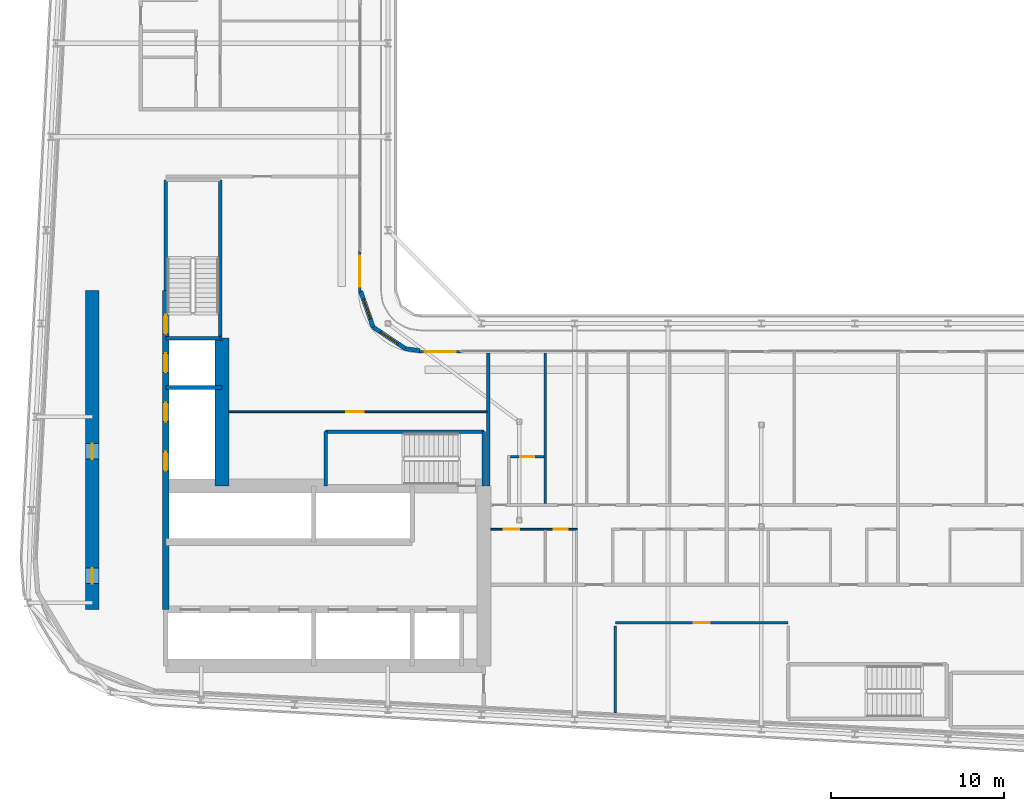
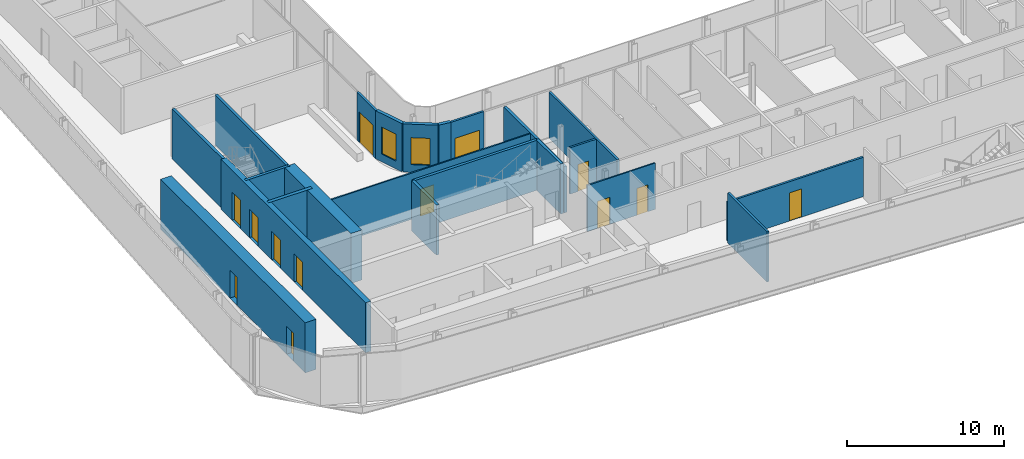
# One storey, part 16 of 30: 23 walls, 13 doors, 2 windows, 15 openings.
"""IFC4 building model written with IfcOpenShell, lengths in metres."""

from ifc_helpers import new_model, si_unit, direction, frame, frame_2d, origin, place, context, subcontext, project, spatial, rectangle, extrude, source, transform, mapped, material, layer, layer_set, type_object, element, fill, save


model = new_model("IFC4")

# Units and contexts
model_context = context("Model", 3, precision=1e-05, world=origin(), true_north=direction((0.0, 1.0)))
body_context = subcontext(model_context, "Body", "Model", "MODEL_VIEW")
ifc_project = project(units=[si_unit("LENGTHUNIT", "METRE"), si_unit("AREAUNIT", "SQUARE_METRE"), si_unit("VOLUMEUNIT", "CUBIC_METRE"), si_unit("PLANEANGLEUNIT", "RADIAN"), si_unit("MASSUNIT", "GRAM", prefix="KILO")], contexts=[model_context])

# Site, building, storey
site_placement = place(None, origin())
site = spatial("IfcSite", under=ifc_project, at=site_placement, CompositionType="ELEMENT")
building_placement = place(site_placement, origin())
building = spatial("IfcBuilding", under=site, at=building_placement, Name="Kheshtan School and Residences Tower", CompositionType="ELEMENT")
storey_placement = place(building_placement, frame((0.0, 0.0, 195.5)))
storey = spatial("IfcBuildingStorey", under=building, at=storey_placement, Name="L46", CompositionType="ELEMENT", Elevation=195.5)

# Wall, openings, doors
ifc_material_1 = material(Name="Concrete C50/60", Category="concrete")
ifc_layer_1 = layer(ifc_material_1, 0.39990234375)
ifc_layer_set_1 = layer_set([ifc_layer_1], Name="Core wall 400 Concrete C50/60")
wall_type_1 = type_object("IfcWallType", Name="Core wall 400 Concrete C50/60", PredefinedType="SHEAR", material=ifc_layer_set_1)
wall_1_placement = place(storey_placement, frame((34.75, 29.050048828125, 0.0), z_axis=(0.0, 0.0, 1.0), x_axis=(0.0, 1.0, 0.0)))
wall_1 = element("IfcWall", 1, at=wall_1_placement, inside=storey, type_object=wall_type_1, Name="Core wall CW-HALL-W1", PredefinedType="SHEAR", context=body_context, shape_type="SweptSolid", body=[
    extrude(rectangle(XDim=18.449951171875, YDim=0.39990234375, at=frame_2d((9.22509765625, 0.0))), origin(), (0.0, 0.0, 1.0), 3.89990234375),
])
opening_1_placement = place(wall_1_placement, frame((8.02490234375, 0.0, 0.0)))
opening_1 = element("IfcOpeningElement", 2, at=opening_1_placement, cuts=wall_1, Name="Opening LD", PredefinedType="OPENING", context=body_context, shape_type="SweptSolid", body=[
    extrude(rectangle(XDim=1.10009765625, YDim=2.199951171875, at=frame_2d((0.550048828125, 1.10009765625))), frame((0.0, 0.2099609375, 0.0), z_axis=(0.0, -1.0, 0.0), x_axis=(1.0, 0.0, 0.0)), (0.0, 0.0, 1.0), 0.419921875),
])
opening_2_placement = place(wall_1_placement, frame((10.875, 0.0, 0.0)))
opening_2 = element("IfcOpeningElement", 3, at=opening_2_placement, cuts=wall_1, Name="Opening LD", PredefinedType="OPENING", context=body_context, shape_type="SweptSolid", body=[
    extrude(rectangle(XDim=1.10009765625, YDim=2.199951171875, at=frame_2d((0.550048828125, 1.10009765625))), frame((0.0, 0.2099609375, 0.0), z_axis=(0.0, -1.0, 0.0), x_axis=(1.0, 0.0, 0.0)), (0.0, 0.0, 1.0), 0.419921875),
])
opening_3_placement = place(wall_1_placement, frame((13.72509765625, 0.0, 0.0)))
opening_3 = element("IfcOpeningElement", 4, at=opening_3_placement, cuts=wall_1, Name="Opening LD", PredefinedType="OPENING", context=body_context, shape_type="SweptSolid", body=[
    extrude(rectangle(XDim=1.10009765625, YDim=2.199951171875, at=frame_2d((0.550048828125, 1.10009765625))), frame((0.0, 0.2099609375, 0.0), z_axis=(0.0, -1.0, 0.0), x_axis=(1.0, 0.0, 0.0)), (0.0, 0.0, 1.0), 0.419921875),
])
opening_4_placement = place(wall_1_placement, frame((15.949951171875, 0.0, 0.0)))
opening_4 = element("IfcOpeningElement", 5, at=opening_4_placement, cuts=wall_1, Name="Opening ST2D", PredefinedType="OPENING", context=body_context, shape_type="SweptSolid", body=[
    extrude(rectangle(XDim=1.10009765625, YDim=2.199951171875, at=frame_2d((0.550048828125, 1.10009765625))), frame((0.0, 0.2099609375, 0.0), z_axis=(0.0, -1.0, 0.0), x_axis=(1.0, 0.0, 0.0)), (0.0, 0.0, 1.0), 0.419921875),
])
ifc_material_2 = material(Name="Stainless steel door leaves", Category="steel")
door_type_1 = type_object("IfcDoorType", Name="Lift landing door 1100", OperationType="SLIDING_TO_LEFT", PredefinedType="DOOR", material=ifc_material_2)
shared_shape_1 = source(origin(), body_context, "Body", "SweptSolid", [
    extrude(rectangle(XDim=1.10009765625, YDim=2.199951171875, at=frame_2d((0.550048828125, 1.10009765625))), frame((0.0, 0.02490234375, 0.0), z_axis=(0.0, -1.0, 0.0), x_axis=(1.0, 0.0, 0.0)), (0.0, 0.0, 1.0), 0.050048828125),
])
door_1_placement = place(opening_1_placement, origin())
door_1 = element("IfcDoor", 6, at=door_1_placement, inside=storey, type_object=door_type_1, Name="Lift SV1 landing door", OperationType="SLIDING_TO_LEFT", OverallHeight=2.199951171875, OverallWidth=1.10009765625, PredefinedType="DOOR", context=body_context, shape_type="MappedRepresentation", body=[
    mapped(shared_shape_1, transform((0.0, 0.0, 0.0), x_axis=(1.0, 0.0, 0.0), y_axis=(0.0, 1.0, 0.0), z_axis=(0.0, 0.0, 1.0), scale=1.0)),
])
fill(opening_1, door_1)
door_2_placement = place(opening_2_placement, origin())
door_2 = element("IfcDoor", 7, at=door_2_placement, inside=storey, type_object=door_type_1, Name="Lift SV2 landing door", OperationType="SLIDING_TO_LEFT", OverallHeight=2.199951171875, OverallWidth=1.10009765625, PredefinedType="DOOR", context=body_context, shape_type="MappedRepresentation", body=[
    mapped(shared_shape_1, transform((0.0, 0.0, 0.0), x_axis=(1.0, 0.0, 0.0), y_axis=(0.0, 1.0, 0.0), z_axis=(0.0, 0.0, 1.0), scale=1.0)),
])
fill(opening_2, door_2)
door_3_placement = place(opening_3_placement, origin())
door_3 = element("IfcDoor", 8, at=door_3_placement, inside=storey, type_object=door_type_1, Name="Lift FFL1 landing door", OperationType="SLIDING_TO_LEFT", OverallHeight=2.199951171875, OverallWidth=1.10009765625, PredefinedType="DOOR", context=body_context, shape_type="MappedRepresentation", body=[
    mapped(shared_shape_1, transform((0.0, 0.0, 0.0), x_axis=(1.0, 0.0, 0.0), y_axis=(0.0, 1.0, 0.0), z_axis=(0.0, 0.0, 1.0), scale=1.0)),
])
fill(opening_3, door_3)
ifc_material_3 = material(Name="Steel door leaf, galvanised", Category="steel")
door_type_2 = type_object("IfcDoorType", Name="Stair door 1100 steel 90 min", OperationType="SINGLE_SWING_LEFT", PredefinedType="DOOR", material=ifc_material_3)
shared_shape_2 = source(origin(), body_context, "Body", "SweptSolid", [
    extrude(rectangle(XDim=1.10009765625, YDim=2.199951171875, at=frame_2d((0.550048828125, 1.10009765625))), frame((0.0, 0.02490234375, 0.0), z_axis=(0.0, -1.0, 0.0), x_axis=(1.0, 0.0, 0.0)), (0.0, 0.0, 1.0), 0.050048828125),
])
door_4_placement = place(opening_4_placement, origin())
door_4 = element("IfcDoor", 9, at=door_4_placement, inside=storey, type_object=door_type_2, Name="Stair ST2 door", OperationType="SINGLE_SWING_RIGHT", OverallHeight=2.199951171875, OverallWidth=1.10009765625, PredefinedType="DOOR", context=body_context, shape_type="MappedRepresentation", body=[
    mapped(shared_shape_2, transform((0.0, 0.0, 0.0), x_axis=(1.0, 0.0, 0.0), y_axis=(0.0, 1.0, 0.0), z_axis=(0.0, 0.0, 1.0), scale=1.0)),
])
fill(opening_4, door_4)

# Wall
ifc_material_4 = material(Name="Concrete C70/85", Category="concrete")
ifc_layer_2 = layer(ifc_material_4, 0.800048828125)
ifc_layer_set_2 = layer_set([ifc_layer_2], Name="Core wall 800 Concrete C70/85")
wall_type_2 = type_object("IfcWallType", Name="Core wall 800 Concrete C70/85", PredefinedType="SHEAR", material=ifc_layer_set_2)
wall_2_placement = place(storey_placement, frame((38.0, 36.199951171875, 0.0), z_axis=(0.0, 0.0, 1.0), x_axis=(0.0, 1.0, 0.0)))
element("IfcWall", 10, at=wall_2_placement, inside=storey, type_object=wall_type_2, Name="Core wall CW-FRONT-W", PredefinedType="SHEAR", context=body_context, shape_type="SweptSolid", body=[
    extrude(rectangle(XDim=8.550048828125, YDim=0.800048828125, at=frame_2d((4.27490234375, 0.0))), origin(), (0.0, 0.0, 1.0), 3.89990234375),
])

# Wall, openings, doors
wall_3_placement = place(storey_placement, frame((30.5, 29.050048828125, 0.0), z_axis=(0.0, 0.0, 1.0), x_axis=(0.0, 1.0, 0.0)))
wall_3 = element("IfcWall", 11, at=wall_3_placement, inside=storey, type_object=wall_type_2, Name="Core wall CW-REAR-W", PredefinedType="SHEAR", context=body_context, shape_type="SweptSolid", body=[
    extrude(rectangle(XDim=18.449951171875, YDim=0.800048828125, at=frame_2d((9.22509765625, 0.0))), origin(), (0.0, 0.0, 1.0), 3.89990234375),
])
opening_5_placement = place(wall_3_placement, frame((1.5, 0.0, 0.0)))
opening_5 = element("IfcOpeningElement", 12, at=opening_5_placement, cuts=wall_3, Name="Opening SR90", PredefinedType="OPENING", context=body_context, shape_type="SweptSolid", body=[
    extrude(rectangle(XDim=0.89990234375, YDim=2.199951171875, at=frame_2d((0.449951171875, 1.10009765625))), frame((0.0, 0.41015625, 0.0), z_axis=(0.0, -1.0, 0.0), x_axis=(1.0, 0.0, 0.0)), (0.0, 0.0, 1.0), 0.820068359375),
])
opening_6_placement = place(wall_3_placement, frame((8.705078125, 0.0, 0.0)))
opening_6 = element("IfcOpeningElement", 13, at=opening_6_placement, cuts=wall_3, Name="Opening SR90", PredefinedType="OPENING", context=body_context, shape_type="SweptSolid", body=[
    extrude(rectangle(XDim=0.89990234375, YDim=2.199951171875, at=frame_2d((0.449951171875, 1.10009765625))), frame((0.0, 0.41015625, 0.0), z_axis=(0.0, -1.0, 0.0), x_axis=(1.0, 0.0, 0.0)), (0.0, 0.0, 1.0), 0.820068359375),
])
door_type_3 = type_object("IfcDoorType", Name="Service room door 900 steel 90 min", OperationType="SINGLE_SWING_LEFT", PredefinedType="DOOR", material=ifc_material_3)
shared_shape_3 = source(origin(), body_context, "Body", "SweptSolid", [
    extrude(rectangle(XDim=0.89990234375, YDim=2.199951171875, at=frame_2d((0.449951171875, 1.10009765625))), frame((0.0, 0.02490234375, 0.0), z_axis=(0.0, -1.0, 0.0), x_axis=(1.0, 0.0, 0.0)), (0.0, 0.0, 1.0), 0.050048828125),
])
door_5_placement = place(opening_5_placement, origin())
door_5 = element("IfcDoor", 14, at=door_5_placement, inside=storey, type_object=door_type_3, Name="Service room door", OperationType="SINGLE_SWING_LEFT", OverallHeight=2.199951171875, OverallWidth=0.89990234375, PredefinedType="DOOR", context=body_context, shape_type="MappedRepresentation", body=[
    mapped(shared_shape_3, transform((0.0, 0.0, 0.0), x_axis=(1.0, 0.0, 0.0), y_axis=(0.0, 1.0, 0.0), z_axis=(0.0, 0.0, 1.0), scale=1.0)),
])
fill(opening_5, door_5)
door_6_placement = place(opening_6_placement, origin())
door_6 = element("IfcDoor", 15, at=door_6_placement, inside=storey, type_object=door_type_3, Name="Service room door", OperationType="SINGLE_SWING_LEFT", OverallHeight=2.199951171875, OverallWidth=0.89990234375, PredefinedType="DOOR", context=body_context, shape_type="MappedRepresentation", body=[
    mapped(shared_shape_3, transform((0.0, 0.0, 0.0), x_axis=(1.0, 0.0, 0.0), y_axis=(0.0, 1.0, 0.0), z_axis=(0.0, 0.0, 1.0), scale=1.0)),
])
fill(opening_6, door_6)

# Wall, opening, window
ifc_material_5 = material(Name="Concrete C40/50 with ceramic cladding and mineral wool insulation", Category="concrete")
ifc_layer_3 = layer(ifc_material_5, 0.25)
ifc_layer_set_3 = layer_set([ifc_layer_3], Name="External wall 250 ceramic clad")
wall_type_3 = type_object("IfcWallType", Name="External wall 250 ceramic clad", PredefinedType="SOLIDWALL", material=ifc_layer_set_3)
wall_4_placement = place(storey_placement, frame((46.01806640625, 47.470947265625, 0.0), z_axis=(0.0, 0.0, 1.0), x_axis=(0.328791208903, -0.944402637093, 0.0)))
wall_4 = element("IfcWall", 16, at=wall_4_placement, inside=storey, type_object=wall_type_3, Name="External wall L46 9", PredefinedType="SOLIDWALL", context=body_context, shape_type="SweptSolid", body=[
    extrude(rectangle(XDim=2.20458984375, YDim=0.25, at=frame_2d((1.102294921875, 0.0))), origin(), (0.0, 0.0, 1.0), 3.75),
])
opening_7_placement = place(wall_4_placement, frame((0.5029296875, 0.0, 0.60009765625)))
opening_7 = element("IfcOpeningElement", 17, at=opening_7_placement, cuts=wall_4, Name="Opening WN-E", PredefinedType="OPENING", context=body_context, shape_type="SweptSolid", body=[
    extrude(rectangle(XDim=1.199951171875, YDim=2.10009765625, at=frame_2d((0.60009765625, 1.050048828125))), frame((0.0, 0.135009765625, 0.0), z_axis=(0.0, -1.0, 0.0), x_axis=(1.0, 0.0, 0.0)), (0.0, 0.0, 1.0), 0.27001953125),
])
ifc_material_6 = material(Name="Clear low-e glass in thermally broken aluminium frame", Category="aluminium")
window_type = type_object("IfcWindowType", Name="Window WN-E", PartitioningType="SINGLE_PANEL", PredefinedType="WINDOW", material=ifc_material_6)
shared_shape_4 = source(origin(), body_context, "Body", "SweptSolid", [
    extrude(rectangle(XDim=1.199951171875, YDim=2.10009765625, at=frame_2d((0.60009765625, 1.050048828125))), frame((0.0, 0.030029296875, 0.0), z_axis=(0.0, -1.0, 0.0), x_axis=(1.0, 0.0, 0.0)), (0.0, 0.0, 1.0), 0.06005859375),
])
window_1_placement = place(opening_7_placement, origin())
window_1 = element("IfcWindow", 18, at=window_1_placement, inside=storey, type_object=window_type, Name="Window L46 9", OverallHeight=2.10009765625, OverallWidth=1.199951171875, PartitioningType="SINGLE_PANEL", PredefinedType="WINDOW", context=body_context, shape_type="MappedRepresentation", body=[
    mapped(shared_shape_4, transform((0.0, 0.0, 0.0), x_axis=(1.0, 0.0, 0.0), y_axis=(0.0, 1.0, 0.0), z_axis=(0.0, 0.0, 1.0), scale=1.0)),
])
fill(opening_7, window_1)

wall_5_placement = place(storey_placement, frame((46.742919921875, 45.388916015625, 0.0), z_axis=(0.0, 0.0, 1.0), x_axis=(0.831449265529, -0.555600682912, 0.0)))
wall_5 = element("IfcWall", 19, at=wall_5_placement, inside=storey, type_object=wall_type_3, Name="External wall L46 10", PredefinedType="SOLIDWALL", context=body_context, shape_type="SweptSolid", body=[
    extrude(rectangle(XDim=2.25146484375, YDim=0.25, at=frame_2d((1.125732421875, 0.0))), origin(), (0.0, 0.0, 1.0), 3.75),
])
opening_8_placement = place(wall_5_placement, frame((0.52490234375, 0.0, 0.60009765625)))
opening_8 = element("IfcOpeningElement", 20, at=opening_8_placement, cuts=wall_5, Name="Opening WN-E", PredefinedType="OPENING", context=body_context, shape_type="SweptSolid", body=[
    extrude(rectangle(XDim=1.199951171875, YDim=2.10009765625, at=frame_2d((0.60009765625, 1.050048828125))), frame((0.0, 0.135009765625, 0.0), z_axis=(0.0, -1.0, 0.0), x_axis=(1.0, 0.0, 0.0)), (0.0, 0.0, 1.0), 0.27001953125),
])
window_2_placement = place(opening_8_placement, origin())
window_2 = element("IfcWindow", 21, at=window_2_placement, inside=storey, type_object=window_type, Name="Window L46 10", OverallHeight=2.10009765625, OverallWidth=1.199951171875, PartitioningType="SINGLE_PANEL", PredefinedType="WINDOW", context=body_context, shape_type="MappedRepresentation", body=[
    mapped(shared_shape_4, transform((0.0, 0.0, 0.0), x_axis=(1.0, 0.0, 0.0), y_axis=(0.0, 1.0, 0.0), z_axis=(0.0, 0.0, 1.0), scale=1.0)),
])
fill(opening_8, window_2)

# Wall
wall_6_placement = place(storey_placement, frame((48.614990234375, 44.137939453125, 0.0), z_axis=(0.0, 0.0, 1.0), x_axis=(0.990741504246, -0.135761819977, 0.0)))
element("IfcWall", 22, at=wall_6_placement, inside=storey, type_object=wall_type_3, Name="External wall L46 11", PredefinedType="SOLIDWALL", context=body_context, shape_type="SweptSolid", body=[
    extrude(rectangle(XDim=0.83984375, YDim=0.25, at=frame_2d((0.419921875, 0.0))), origin(), (0.0, 0.0, 1.0), 3.75),
])

# Wall, opening, door
ifc_material_7 = material(Name="Aluminium frame wall with insulated infill", Category="aluminium")
ifc_layer_4 = layer(ifc_material_7, 0.14990234375)
ifc_layer_set_4 = layer_set([ifc_layer_4], Name="Glazing frame wall 150")
wall_type_4 = type_object("IfcWallType", Name="Glazing frame wall 150", PredefinedType="SOLIDWALL", material=ifc_layer_set_4)
wall_7_placement = place(storey_placement, frame((45.97509765625, 49.830078125, 0.0), z_axis=(0.0, 0.0, 1.0), x_axis=(0.0, -1.0, 0.0)))
wall_7 = element("IfcWall", 23, at=wall_7_placement, inside=storey, type_object=wall_type_4, Name="Balcony door wall L46 8.5", PredefinedType="SOLIDWALL", context=body_context, shape_type="SweptSolid", body=[
    extrude(rectangle(XDim=2.400146484375, YDim=0.14990234375, at=frame_2d((1.2001953125, 0.0))), origin(), (0.0, 0.0, 1.0), 3.75),
])
opening_9_placement = place(wall_7_placement, frame((0.300048828125, 0.0, 0.0)))
opening_9 = element("IfcOpeningElement", 24, at=opening_9_placement, cuts=wall_7, Name="Opening BD", PredefinedType="OPENING", context=body_context, shape_type="SweptSolid", body=[
    extrude(rectangle(XDim=1.800048828125, YDim=2.39990234375, at=frame_2d((0.89990234375, 1.199951171875))), frame((0.0, 0.0849609375, 0.0), z_axis=(0.0, -1.0, 0.0), x_axis=(1.0, 0.0, 0.0)), (0.0, 0.0, 1.0), 0.169921875),
])
door_type_4 = type_object("IfcDoorType", Name="Balcony sliding door", OperationType="SLIDING_TO_LEFT", PredefinedType="DOOR", material=ifc_material_6)
shared_shape_5 = source(origin(), body_context, "Body", "SweptSolid", [
    extrude(rectangle(XDim=1.800048828125, YDim=2.39990234375, at=frame_2d((0.89990234375, 1.199951171875))), frame((0.0, 0.02490234375, 0.0), z_axis=(0.0, -1.0, 0.0), x_axis=(1.0, 0.0, 0.0)), (0.0, 0.0, 1.0), 0.050048828125),
])
door_7_placement = place(opening_9_placement, origin())
door_7 = element("IfcDoor", 25, at=door_7_placement, inside=storey, type_object=door_type_4, Name="Balcony door L46 8.5", OperationType="SLIDING_TO_LEFT", OverallHeight=2.39990234375, OverallWidth=1.800048828125, PredefinedType="DOOR", context=body_context, shape_type="MappedRepresentation", body=[
    mapped(shared_shape_5, transform((0.0, 0.0, 0.0), x_axis=(1.0, 0.0, 0.0), y_axis=(0.0, 1.0, 0.0), z_axis=(0.0, 0.0, 1.0), scale=1.0)),
])
fill(opening_9, door_7)

wall_8_placement = place(storey_placement, frame((49.429931640625, 43.97509765625, 0.0), z_axis=(0.0, 0.0, 1.0), x_axis=(1.0, 0.0, 0.0)))
wall_8 = element("IfcWall", 26, at=wall_8_placement, inside=storey, type_object=wall_type_4, Name="Balcony door wall L46 12.1", PredefinedType="SOLIDWALL", context=body_context, shape_type="SweptSolid", body=[
    extrude(rectangle(XDim=2.400146484375, YDim=0.14990234375, at=frame_2d((1.2001953125, 0.0))), origin(), (0.0, 0.0, 1.0), 3.75),
])
opening_10_placement = place(wall_8_placement, frame((0.300048828125, 0.0, 0.0)))
opening_10 = element("IfcOpeningElement", 27, at=opening_10_placement, cuts=wall_8, Name="Opening BD", PredefinedType="OPENING", context=body_context, shape_type="SweptSolid", body=[
    extrude(rectangle(XDim=1.800048828125, YDim=2.39990234375, at=frame_2d((0.89990234375, 1.199951171875))), frame((0.0, 0.0849609375, 0.0), z_axis=(0.0, -1.0, 0.0), x_axis=(1.0, 0.0, 0.0)), (0.0, 0.0, 1.0), 0.169921875),
])
door_8_placement = place(opening_10_placement, origin())
door_8 = element("IfcDoor", 28, at=door_8_placement, inside=storey, type_object=door_type_4, Name="Balcony door L46 12.1", OperationType="SLIDING_TO_LEFT", OverallHeight=2.39990234375, OverallWidth=1.800048828125, PredefinedType="DOOR", context=body_context, shape_type="MappedRepresentation", body=[
    mapped(shared_shape_5, transform((0.0, 0.0, 0.0), x_axis=(1.0, 0.0, 0.0), y_axis=(0.0, 1.0, 0.0), z_axis=(0.0, 0.0, 1.0), scale=1.0)),
])
fill(opening_10, door_8)

ifc_material_8 = material(Name="Gypsum board on steel studs", Category="steel")
ifc_layer_5 = layer(ifc_material_8, 0.10009765625)
ifc_layer_set_5 = layer_set([ifc_layer_5], Name="Gypsum partition 100")
wall_type_5 = type_object("IfcWallType", Name="Gypsum partition 100", PredefinedType="PARTITIONING", material=ifc_layer_set_5)
wall_9_placement = place(storey_placement, frame((38.39892578125, 40.5, 0.0), z_axis=(0.0, 0.0, 1.0), x_axis=(1.0, 0.0, 0.0)))
wall_9 = element("IfcWall", 29, at=wall_9_placement, inside=storey, type_object=wall_type_5, Name="Partition L46-029", PredefinedType="PARTITIONING", context=body_context, shape_type="SweptSolid", body=[
    extrude(rectangle(XDim=14.901123046875, YDim=0.10009765625, at=frame_2d((7.45068359375, 0.0))), origin(), (0.0, 0.0, 1.0), 3.60009765625),
])
opening_11_placement = place(wall_9_placement, frame((6.801025390625, 0.0, 0.0)))
opening_11 = element("IfcOpeningElement", 30, at=opening_11_placement, cuts=wall_9, Name="Opening D46-054", PredefinedType="OPENING", context=body_context, shape_type="SweptSolid", body=[
    extrude(rectangle(XDim=1.0, YDim=2.10009765625, at=frame_2d((0.5, 1.050048828125))), frame((0.0, 0.06005859375, 0.0), z_axis=(0.0, -1.0, 0.0), x_axis=(1.0, 0.0, 0.0)), (0.0, 0.0, 1.0), 0.1201171875),
])
ifc_material_9 = material(Name="Veneered timber door leaf", Category="wood")
door_type_5 = type_object("IfcDoorType", Name="Door 1000 x 2100", OperationType="SINGLE_SWING_LEFT", PredefinedType="DOOR", material=ifc_material_9)
shared_shape_6 = source(origin(), body_context, "Body", "SweptSolid", [
    extrude(rectangle(XDim=1.0, YDim=2.10009765625, at=frame_2d((0.5, 1.050048828125))), frame((0.0, 0.02490234375, 0.0), z_axis=(0.0, -1.0, 0.0), x_axis=(1.0, 0.0, 0.0)), (0.0, 0.0, 1.0), 0.050048828125),
])
door_9_placement = place(opening_11_placement, origin())
door_9 = element("IfcDoor", 31, at=door_9_placement, inside=storey, type_object=door_type_5, Name="Door D46-054", OperationType="SINGLE_SWING_LEFT", OverallHeight=2.10009765625, OverallWidth=1.0, PredefinedType="DOOR", context=body_context, shape_type="MappedRepresentation", body=[
    mapped(shared_shape_6, transform((0.0, 0.0, 0.0), x_axis=(1.0, 0.0, 0.0), y_axis=(0.0, 1.0, 0.0), z_axis=(0.0, 0.0, 1.0), scale=1.0)),
])
fill(opening_11, door_9)

# Wall, openings, doors
wall_10_placement = place(storey_placement, frame((53.549072265625, 33.699951171875, 0.0), z_axis=(0.0, 0.0, 1.0), x_axis=(1.0, 0.0, 0.0)))
wall_10 = element("IfcWall", 32, at=wall_10_placement, inside=storey, type_object=wall_type_5, Name="Partition L46-033", PredefinedType="PARTITIONING", context=body_context, shape_type="SweptSolid", body=[
    extrude(rectangle(XDim=5.0009765625, YDim=0.10009765625, at=frame_2d((2.50048828125, 0.0))), origin(), (0.0, 0.0, 1.0), 3.60009765625),
])
opening_12_placement = place(wall_10_placement, frame((0.7509765625, 0.0, 0.0)))
opening_12 = element("IfcOpeningElement", 33, at=opening_12_placement, cuts=wall_10, Name="Opening D46-007", PredefinedType="OPENING", context=body_context, shape_type="SweptSolid", body=[
    extrude(rectangle(XDim=0.89990234375, YDim=2.10009765625, at=frame_2d((0.449951171875, 1.050048828125))), frame((0.0, 0.06005859375, 0.0), z_axis=(0.0, -1.0, 0.0), x_axis=(1.0, 0.0, 0.0)), (0.0, 0.0, 1.0), 0.1201171875),
])
opening_13_placement = place(wall_10_placement, frame((3.65087890625, 0.0, 0.0)))
opening_13 = element("IfcOpeningElement", 34, at=opening_13_placement, cuts=wall_10, Name="Opening D46-011", PredefinedType="OPENING", context=body_context, shape_type="SweptSolid", body=[
    extrude(rectangle(XDim=0.800048828125, YDim=2.10009765625, at=frame_2d((0.39990234375, 1.050048828125))), frame((0.0, 0.06005859375, 0.0), z_axis=(0.0, -1.0, 0.0), x_axis=(1.0, 0.0, 0.0)), (0.0, 0.0, 1.0), 0.1201171875),
])
door_type_6 = type_object("IfcDoorType", Name="Door 800 x 2100", OperationType="SINGLE_SWING_LEFT", PredefinedType="DOOR", material=ifc_material_9)
shared_shape_7 = source(origin(), body_context, "Body", "SweptSolid", [
    extrude(rectangle(XDim=0.800048828125, YDim=2.10009765625, at=frame_2d((0.39990234375, 1.050048828125))), frame((0.0, 0.02490234375, 0.0), z_axis=(0.0, -1.0, 0.0), x_axis=(1.0, 0.0, 0.0)), (0.0, 0.0, 1.0), 0.050048828125),
])
door_10_placement = place(opening_13_placement, origin())
door_10 = element("IfcDoor", 35, at=door_10_placement, inside=storey, type_object=door_type_6, Name="Door D46-011", OperationType="SINGLE_SWING_RIGHT", OverallHeight=2.10009765625, OverallWidth=0.800048828125, PredefinedType="DOOR", context=body_context, shape_type="MappedRepresentation", body=[
    mapped(shared_shape_7, transform((0.0, 0.0, 0.0), x_axis=(1.0, 0.0, 0.0), y_axis=(0.0, 1.0, 0.0), z_axis=(0.0, 0.0, 1.0), scale=1.0)),
])
fill(opening_13, door_10)
door_type_7 = type_object("IfcDoorType", Name="Door 900 x 2100", OperationType="SINGLE_SWING_LEFT", PredefinedType="DOOR", material=ifc_material_9)
shared_shape_8 = source(origin(), body_context, "Body", "SweptSolid", [
    extrude(rectangle(XDim=0.89990234375, YDim=2.10009765625, at=frame_2d((0.449951171875, 1.050048828125))), frame((0.0, 0.02490234375, 0.0), z_axis=(0.0, -1.0, 0.0), x_axis=(1.0, 0.0, 0.0)), (0.0, 0.0, 1.0), 0.050048828125),
])
door_11_placement = place(opening_12_placement, origin())
door_11 = element("IfcDoor", 36, at=door_11_placement, inside=storey, type_object=door_type_7, Name="Door D46-007", OperationType="SINGLE_SWING_RIGHT", OverallHeight=2.10009765625, OverallWidth=0.89990234375, PredefinedType="DOOR", context=body_context, shape_type="MappedRepresentation", body=[
    mapped(shared_shape_8, transform((0.0, 0.0, 0.0), x_axis=(1.0, 0.0, 0.0), y_axis=(0.0, 1.0, 0.0), z_axis=(0.0, 0.0, 1.0), scale=1.0)),
])
fill(opening_12, door_11)

# Wall, opening, door
ifc_material_10 = material(Name="Fire-board shaft wall system")
ifc_layer_6 = layer(ifc_material_10, 0.14990234375)
ifc_layer_set_6 = layer_set([ifc_layer_6], Name="Service room wall 150")
wall_type_6 = type_object("IfcWallType", Name="Service room wall 150", PredefinedType="PARTITIONING", material=ifc_layer_set_6)
wall_11_placement = place(storey_placement, frame((60.75, 28.300048828125, 0.0), z_axis=(0.0, 0.0, 1.0), x_axis=(1.0, 0.0, 0.0)))
wall_11 = element("IfcWall", 37, at=wall_11_placement, inside=storey, type_object=wall_type_6, Name="Service room wall", PredefinedType="PARTITIONING", context=body_context, shape_type="SweptSolid", body=[
    extrude(rectangle(XDim=10.0, YDim=0.14990234375, at=frame_2d((5.0, 0.0))), origin(), (0.0, 0.0, 1.0), 3.072021484375),
])
opening_14_placement = place(wall_11_placement, frame((4.550048828125, 0.0, 0.0)))
opening_14 = element("IfcOpeningElement", 38, at=opening_14_placement, cuts=wall_11, Name="Opening SR90", PredefinedType="OPENING", context=body_context, shape_type="SweptSolid", body=[
    extrude(rectangle(XDim=0.89990234375, YDim=2.199951171875, at=frame_2d((0.449951171875, 1.10009765625))), frame((0.0, 0.0849609375, 0.0), z_axis=(0.0, -1.0, 0.0), x_axis=(1.0, 0.0, 0.0)), (0.0, 0.0, 1.0), 0.169921875),
])
door_12_placement = place(opening_14_placement, origin())
door_12 = element("IfcDoor", 39, at=door_12_placement, inside=storey, type_object=door_type_3, Name="Service room door", OperationType="SINGLE_SWING_LEFT", OverallHeight=2.199951171875, OverallWidth=0.89990234375, PredefinedType="DOOR", context=body_context, shape_type="MappedRepresentation", body=[
    mapped(shared_shape_3, transform((0.0, 0.0, 0.0), x_axis=(1.0, 0.0, 0.0), y_axis=(0.0, 1.0, 0.0), z_axis=(0.0, 0.0, 1.0), scale=1.0)),
])
fill(opening_14, door_12)

# Walls
wall_12_placement = place(storey_placement, frame((60.75, 23.074951171875, 0.0), z_axis=(0.0, 0.0, 1.0), x_axis=(0.0, 1.0, 0.0)))
element("IfcWall", 40, at=wall_12_placement, inside=storey, type_object=wall_type_6, Name="Service room wall", PredefinedType="PARTITIONING", context=body_context, shape_type="SweptSolid", body=[
    extrude(rectangle(XDim=5.030029296875, YDim=0.14990234375, at=frame_2d((2.51513671875, 0.0))), origin(), (0.0, 0.0, 1.0), 3.89990234375),
])
ifc_layer_7 = layer(ifc_material_10, 0.25)
ifc_layer_set_7 = layer_set([ifc_layer_7], Name="Shaft lining wall 250")
wall_type_7 = type_object("IfcWallType", Name="Shaft lining wall 250", PredefinedType="PARTITIONING", material=ifc_layer_set_7)
wall_13_placement = place(storey_placement, frame((34.75, 41.89990234375, 0.0), z_axis=(0.0, 0.0, 1.0), x_axis=(1.0, 0.0, 0.0)))
element("IfcWall", 41, at=wall_13_placement, inside=storey, type_object=wall_type_7, Name="Shaft lining wall", PredefinedType="PARTITIONING", context=body_context, shape_type="SweptSolid", body=[
    extrude(rectangle(XDim=3.25, YDim=0.25, at=frame_2d((1.625, 0.0))), origin(), (0.0, 0.0, 1.0), 3.89990234375),
])
wall_14_placement = place(storey_placement, frame((37.89990234375, 44.75, 0.0), z_axis=(0.0, 0.0, 1.0), x_axis=(1.0, 0.0, 0.0)))
element("IfcWall", 42, at=wall_14_placement, inside=storey, type_object=wall_type_7, Name="Shaft lining wall", PredefinedType="PARTITIONING", context=body_context, shape_type="SweptSolid", body=[
    extrude(rectangle(XDim=0.10009765625, YDim=0.25, at=frame_2d((0.050048828125, 0.0))), origin(), (0.0, 0.0, 1.0), 3.89990234375),
])
ifc_material_11 = material(Name="Concrete C40/50", Category="concrete")
ifc_layer_8 = layer(ifc_material_11, 0.199951171875)
ifc_layer_set_8 = layer_set([ifc_layer_8], Name="Stair enclosure wall 200 Concrete C40/50")
wall_type_8 = type_object("IfcWallType", Name="Stair enclosure wall 200 Concrete C40/50", PredefinedType="SHEAR", material=ifc_layer_set_8)
wall_15_placement = place(storey_placement, frame((43.989990234375, 39.35009765625, 0.0), z_axis=(0.0, 0.0, 1.0), x_axis=(1.0, 0.0, 0.0)))
element("IfcWall", 43, at=wall_15_placement, inside=storey, type_object=wall_type_8, Name="Stair enclosure wall ST1", PredefinedType="SHEAR", context=body_context, shape_type="SweptSolid", body=[
    extrude(rectangle(XDim=9.159912109375, YDim=0.199951171875, at=frame_2d((4.580078125, 0.0))), origin(), (0.0, 0.0, 1.0), 3.89990234375),
])
for number, where, z_axis, x_axis, name in (
    (44, (43.989990234375, 36.199951171875, 0.0), (0.0, 0.0, 1.0), (0.0, 1.0, 0.0), "Stair enclosure wall ST1"),
    (45, (53.14990234375, 36.199951171875, 0.0), (0.0, 0.0, 1.0), (0.0, 1.0, 0.0), "Stair enclosure wall ST1"),
):
    element("IfcWall", number, at=place(storey_placement, frame(where, z_axis=z_axis, x_axis=x_axis)), inside=storey, type_object=wall_type_8, Name=name, PredefinedType="SHEAR", context=body_context, shape_type="SweptSolid", body=[
        extrude(rectangle(XDim=3.150146484375, YDim=0.199951171875, at=frame_2d((1.5751953125, 0.0))), origin(), (0.0, 0.0, 1.0), 3.89990234375),
    ])
wall_16_placement = place(storey_placement, frame((34.75, 44.75, 0.0), z_axis=(0.0, 0.0, 1.0), x_axis=(1.0, 0.0, 0.0)))
element("IfcWall", 46, at=wall_16_placement, inside=storey, type_object=wall_type_8, Name="Stair enclosure wall ST2", PredefinedType="SHEAR", context=body_context, shape_type="SweptSolid", body=[
    extrude(rectangle(XDim=3.14990234375, YDim=0.199951171875, at=frame_2d((1.574951171875, 0.0))), origin(), (0.0, 0.0, 1.0), 3.89990234375),
])
wall_17_placement = place(storey_placement, frame((34.75, 47.5, 0.0), z_axis=(0.0, 0.0, 1.0), x_axis=(0.0, 1.0, 0.0)))
element("IfcWall", 47, at=wall_17_placement, inside=storey, type_object=wall_type_8, Name="Stair enclosure wall ST2", PredefinedType="SHEAR", context=body_context, shape_type="SweptSolid", body=[
    extrude(rectangle(XDim=6.409912109375, YDim=0.199951171875, at=frame_2d((3.205078125, 0.0))), origin(), (0.0, 0.0, 1.0), 3.89990234375),
])
wall_18_placement = place(storey_placement, frame((37.89990234375, 44.75, 0.0), z_axis=(0.0, 0.0, 1.0), x_axis=(0.0, 1.0, 0.0)))
element("IfcWall", 48, at=wall_18_placement, inside=storey, type_object=wall_type_8, Name="Stair enclosure wall ST2", PredefinedType="SHEAR", context=body_context, shape_type="SweptSolid", body=[
    extrude(rectangle(XDim=9.159912109375, YDim=0.199951171875, at=frame_2d((4.580078125, 0.0))), origin(), (0.0, 0.0, 1.0), 3.89990234375),
])
ifc_material_12 = material(Name="Twin gypsum board on steel studs with mineral wool", Category="steel")
ifc_layer_9 = layer(ifc_material_12, 0.199951171875)
ifc_layer_set_9 = layer_set([ifc_layer_9], Name="Unit demising wall 200")
wall_type_9 = type_object("IfcWallType", Name="Unit demising wall 200", PredefinedType="PARTITIONING", material=ifc_layer_set_9)
wall_19_placement = place(storey_placement, frame((53.39990234375, 36.198974609375, 0.0), z_axis=(0.0, 0.0, 1.0), x_axis=(0.0, 1.0, 0.0)))
element("IfcWall", 49, at=wall_19_placement, inside=storey, type_object=wall_type_9, Name="Partition L46-031", PredefinedType="PARTITIONING", context=body_context, shape_type="SweptSolid", body=[
    extrude(rectangle(XDim=7.700927734375, YDim=0.199951171875, at=frame_2d((3.8505859375, 0.0))), origin(), (0.0, 0.0, 1.0), 3.60009765625),
])

# Wall, opening, door
ifc_material_13 = material(Name="Moisture-resistant gypsum board on steel studs", Category="steel")
ifc_layer_10 = layer(ifc_material_13, 0.14990234375)
ifc_layer_set_10 = layer_set([ifc_layer_10], Name="Wet-room partition 150")
wall_type_10 = type_object("IfcWallType", Name="Wet-room partition 150", PredefinedType="PARTITIONING", material=ifc_layer_set_10)
wall_20_placement = place(storey_placement, frame((54.675048828125, 37.89990234375, 0.0), z_axis=(0.0, 0.0, 1.0), x_axis=(1.0, 0.0, 0.0)))
wall_20 = element("IfcWall", 50, at=wall_20_placement, inside=storey, type_object=wall_type_10, Name="Partition L46-036", PredefinedType="PARTITIONING", context=body_context, shape_type="SweptSolid", body=[
    extrude(rectangle(XDim=1.949951171875, YDim=0.14990234375, at=frame_2d((0.97509765625, 0.0))), origin(), (0.0, 0.0, 1.0), 3.60009765625),
])
opening_15_placement = place(wall_20_placement, frame((0.574951171875, 0.0, 0.0)))
opening_15 = element("IfcOpeningElement", 51, at=opening_15_placement, cuts=wall_20, Name="Opening D46-005", PredefinedType="OPENING", context=body_context, shape_type="SweptSolid", body=[
    extrude(rectangle(XDim=0.800048828125, YDim=2.10009765625, at=frame_2d((0.39990234375, 1.050048828125))), frame((0.0, 0.0849609375, 0.0), z_axis=(0.0, -1.0, 0.0), x_axis=(1.0, 0.0, 0.0)), (0.0, 0.0, 1.0), 0.169921875),
])
door_13_placement = place(opening_15_placement, origin())
door_13 = element("IfcDoor", 52, at=door_13_placement, inside=storey, type_object=door_type_6, Name="Door D46-005", OperationType="SINGLE_SWING_LEFT", OverallHeight=2.10009765625, OverallWidth=0.800048828125, PredefinedType="DOOR", context=body_context, shape_type="MappedRepresentation", body=[
    mapped(shared_shape_7, transform((0.0, 0.0, 0.0), x_axis=(1.0, 0.0, 0.0), y_axis=(0.0, 1.0, 0.0), z_axis=(0.0, 0.0, 1.0), scale=1.0)),
])
fill(opening_15, door_13)

# Wall
wall_21_placement = place(storey_placement, frame((56.699951171875, 35.175048828125, 0.0), z_axis=(0.0, 0.0, 1.0), x_axis=(0.0, 1.0, 0.0)))
element("IfcWall", 53, at=wall_21_placement, inside=storey, type_object=wall_type_10, Name="Partition L46-038", PredefinedType="PARTITIONING", context=body_context, shape_type="SweptSolid", body=[
    extrude(rectangle(XDim=8.724853515625, YDim=0.14990234375, at=frame_2d((4.3623046875, 0.0))), origin(), (0.0, 0.0, 1.0), 3.60009765625),
])

save(model, "model.ifc")
